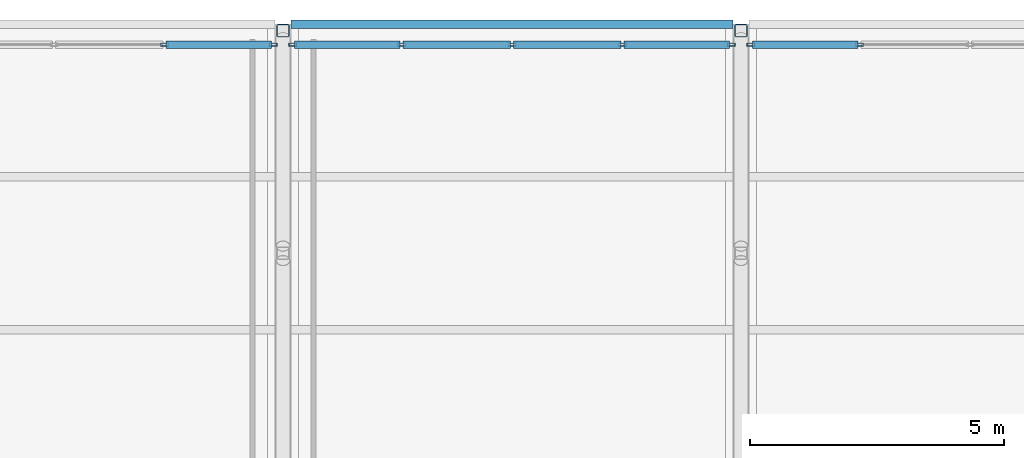
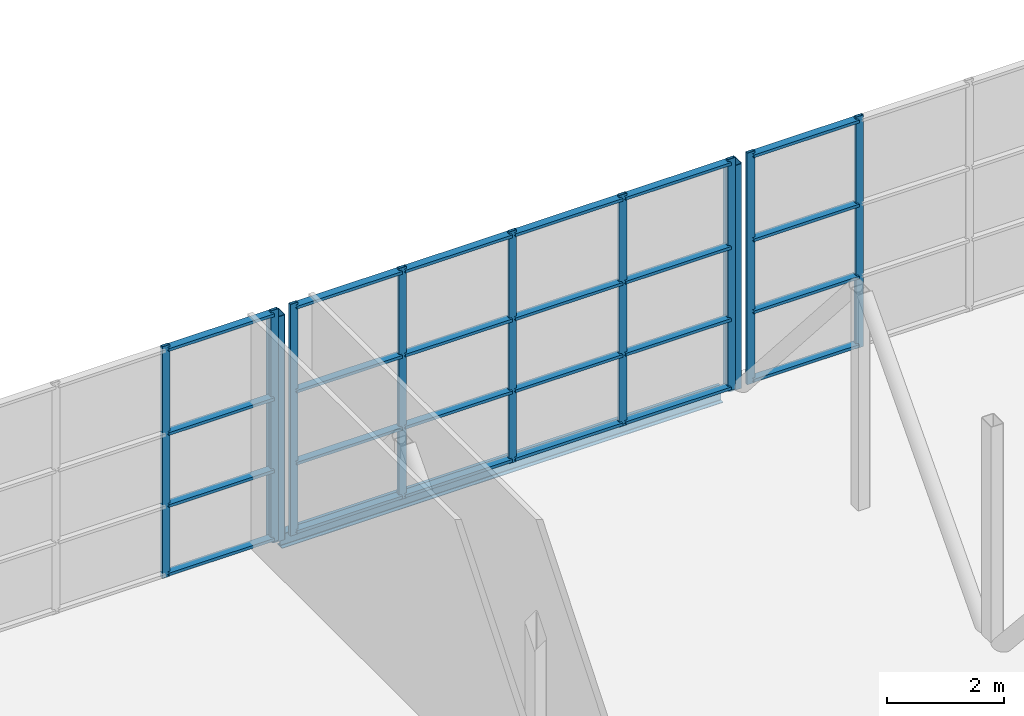
# One storey, part 68 of 94: 35 members, 1 beam, 3 elements without a shape of their own.
"""IFC4 building model written with IfcOpenShell, lengths in metres."""

import ifcopenshell
import ifcopenshell.guid

model = None  # the IFC model being written
_history = None  # IfcOwnerHistory: only IFC2X3 demands one
_inside = {}  # id of a spatial element -> (the spatial element, [elements in it])
_under = {}  # id of a project, library or spatial element -> (it, [spatial elements below it])
_declared = {}  # id of a project -> (the project, [libraries it declares])
_typed = {}  # id of a type object -> (the type object, [elements of that type])
_made_of = {}  # id of a material, layer set ... -> (it, [elements and type objects made of it])


def new_model(schema):
    """Start an empty IFC model of exactly this schema.

    Asked for "IFC4X3", IfcOpenShell would pick the latest addendum, in which some entities
    have other attributes; the version numbers below select the first issue.
    IFC2X3 requires an IfcOwnerHistory on every rooted entity: one is made here for all.
    """
    global model, _history
    if schema == "IFC4X3":
        model = ifcopenshell.file(schema_version=(4, 3, 0, 0))
    else:
        model = ifcopenshell.file(schema=schema)
    _inside.clear()
    _under.clear()
    _declared.clear()
    _typed.clear()
    _made_of.clear()
    _history = None
    if model.schema == "IFC2X3":
        org = make("IfcOrganization", Name="unknown")
        user = make(
            "IfcPersonAndOrganization",
            ThePerson=make("IfcPerson", FamilyName="unknown"),
            TheOrganization=org,
        )
        app = make(
            "IfcApplication",
            ApplicationDeveloper=org,
            Version="unknown",
            ApplicationFullName="unknown",
            ApplicationIdentifier="unknown",
        )
        _history = make(
            "IfcOwnerHistory",
            OwningUser=user,
            OwningApplication=app,
            ChangeAction="ADDED",
            CreationDate=0,
        )
    return model


def make(cls, **values):
    """One entity of the class cls with the attributes given. An attribute that is None is left unset."""
    return model.create_entity(
        cls, **{name: value for name, value in values.items() if value is not None}
    )


def rooted(cls, **values):
    """An entity with a GlobalId (a new one), such as an element, a storey or a relation."""
    return make(cls, GlobalId=ifcopenshell.guid.new(), OwnerHistory=_history, **values)


def si_unit(unit_type, name, prefix=None):
    """IfcSIUnit, for example si_unit("LENGTHUNIT", "METRE", prefix="MILLI")."""
    return make("IfcSIUnit", UnitType=unit_type, Prefix=prefix, Name=name)


def assignment(units):
    """IfcUnitAssignment: the units of a project."""
    return None if units is None else make("IfcUnitAssignment", Units=units)


def point(xyz):
    """IfcCartesianPoint."""
    return None if xyz is None else make("IfcCartesianPoint", Coordinates=xyz)


def direction(xyz):
    """IfcDirection."""
    return None if xyz is None else make("IfcDirection", DirectionRatios=xyz)


def frame(location, z_axis=None, x_axis=None):
    """IfcAxis2Placement3D, a coordinate frame: its origin and axes. An axis left out is left unset."""
    return make(
        "IfcAxis2Placement3D",
        Location=point(location),
        Axis=direction(z_axis),
        RefDirection=direction(x_axis),
    )


def frame_2d(location, x_axis=None):
    """IfcAxis2Placement2D, a coordinate frame in the plane: its origin and x axis."""
    return make(
        "IfcAxis2Placement2D", Location=point(location), RefDirection=direction(x_axis)
    )


def origin():
    """The frame at (0, 0, 0) with its axes left unset."""
    return frame((0.0, 0.0, 0.0))


def origin_2d():
    """The frame at (0, 0) in the plane with its x axis left unset."""
    return frame_2d((0.0, 0.0))


def place(relative_to, where):
    """IfcLocalPlacement: puts the frame where relative to a parent placement (None: the world)."""
    return make(
        "IfcLocalPlacement", PlacementRelTo=relative_to, RelativePlacement=where
    )


def context(
    kind, dimensions, precision=None, world=None, true_north=None, identifier=None
):
    """IfcGeometricRepresentationContext, for example the 3D "Model" context."""
    return make(
        "IfcGeometricRepresentationContext",
        ContextIdentifier=identifier,
        ContextType=kind,
        CoordinateSpaceDimension=dimensions,
        Precision=precision,
        WorldCoordinateSystem=world,
        TrueNorth=true_north,
    )


def subcontext(parent, identifier, kind, view, scale=None):
    """IfcGeometricRepresentationSubContext, for example "Body" below "Model"."""
    return make(
        "IfcGeometricRepresentationSubContext",
        ContextIdentifier=identifier,
        ContextType=kind,
        ParentContext=parent,
        TargetScale=scale,
        TargetView=view,
    )


def project(units=None, contexts=None):
    """IfcProject with its units and contexts."""
    return rooted(
        "IfcProject",
        Name="project",
        RepresentationContexts=contexts,
        UnitsInContext=assignment(units),
    )


def spatial(cls, under=None, at=None, **own):
    """A site, building, storey or space (cls), placed at a placement, below another one or the project."""
    s = rooted(cls, ObjectPlacement=at, **own)
    if under is not None:
        _under.setdefault(under.id(), (under, []))[1].append(s)
    return s


def profile(cls, at=None, kind="AREA", **sizes):
    """A parametric profile (cls). Its sizes go by their IFC names, for example OverallWidth=200.0."""
    return make(cls, ProfileType=kind, Position=at, **sizes)


def hollow_rectangle(**sizes):
    """IfcRectangleHollowProfileDef."""
    return profile("IfcRectangleHollowProfileDef", **sizes)


def i_section(**sizes):
    """IfcIShapeProfileDef."""
    return profile("IfcIShapeProfileDef", **sizes)


def extrude(swept, where, along, depth):
    """IfcExtrudedAreaSolid: the profile swept, set in the frame where, extruded along a direction by depth."""
    return make(
        "IfcExtrudedAreaSolid",
        SweptArea=swept,
        Position=where,
        ExtrudedDirection=direction(along),
        Depth=depth,
    )


def shape(context_of_items, identifier, shape_type, items):
    """IfcShapeRepresentation: the items that make up one representation, for example the "Body"."""
    return make(
        "IfcShapeRepresentation",
        ContextOfItems=context_of_items,
        RepresentationIdentifier=identifier,
        RepresentationType=shape_type,
        Items=items,
    )


def material(Name=None, Category=None):
    """IfcMaterial."""
    return make("IfcMaterial", Name=Name, Category=Category)


def layer(
    of_material, thickness, ventilated=None, Name=None, Category=None, Priority=None
):
    """IfcMaterialLayer: one layer of a wall or slab, of a material (None: an air gap)."""
    return make(
        "IfcMaterialLayer",
        Material=of_material,
        LayerThickness=thickness,
        IsVentilated=ventilated,
        Name=Name,
        Category=Category,
        Priority=Priority,
    )


def layer_set(layers, Name=None):
    """IfcMaterialLayerSet."""
    return make("IfcMaterialLayerSet", MaterialLayers=layers, LayerSetName=Name)


def material_profile(
    of_material, cross_section, Name=None, Category=None, Priority=None
):
    """IfcMaterialProfile: a cross section and its material."""
    return make(
        "IfcMaterialProfile",
        Name=Name,
        Material=of_material,
        Profile=cross_section,
        Priority=Priority,
        Category=Category,
    )


def profile_set(profiles, Name=None, composite=None):
    """IfcMaterialProfileSet."""
    return make(
        "IfcMaterialProfileSet",
        Name=Name,
        MaterialProfiles=profiles,
        CompositeProfile=composite,
    )


def made_of(thing, what):
    """Note that an element or type object is made of a material, layer set ...; save() writes the relation."""
    if what is not None:
        _made_of.setdefault(what.id(), (what, []))[1].append(thing)
    return thing


def type_object(cls, material=None, **own):
    """A type object (cls), such as IfcWallType, which elements share."""
    return made_of(rooted(cls, **own), material)


def element(
    cls,
    number,
    at=None,
    inside=None,
    cuts=None,
    type_object=None,
    material=None,
    context=None,
    identifier="Body",
    shape_type=None,
    held_by="IfcProductDefinitionShape",
    body=None,
    shapes=None,
    **own,
):
    """One element of the class cls, such as IfcWall. Its Tag is "e" and its number.

    at: its placement. inside: the storey or other place that contains it. cuts: it is an
    opening in that element (IfcRelVoidsElement). A single representation is given by context,
    identifier, shape_type and body (its items); several are given by shapes. held_by: the class
    of the entity that holds the representations. save() writes the other relations.
    """
    e = rooted(cls, Tag="e%d" % number, ObjectPlacement=at, **own)
    if body is not None:
        shapes = [shape(context, identifier, shape_type, body)]
    if shapes is not None:
        e.Representation = make(held_by, Representations=shapes)
    if inside is not None:
        _inside.setdefault(inside.id(), (inside, []))[1].append(e)
    if cuts is not None:
        rooted(
            "IfcRelVoidsElement", RelatingBuildingElement=cuts, RelatedOpeningElement=e
        )
    if type_object is not None:
        _typed.setdefault(type_object.id(), (type_object, []))[1].append(e)
    return made_of(e, material)


def aggregate(whole, parts):
    """IfcRelAggregates: a whole, such as a stair, and the parts it consists of."""
    return rooted("IfcRelAggregates", RelatingObject=whole, RelatedObjects=parts)


def save(model, path):
    """Write the relations noted so far, then the file.

    IfcRelAggregates (storeys below a building ...), IfcRelContainedInSpatialStructure (elements
    in a storey), IfcRelDefinesByType, IfcRelAssociatesMaterial and IfcRelDeclares: one each for
    every whole, place, type object, material and project.
    """
    for whole, parts in _under.values():
        aggregate(whole, parts)
    for where, things in _inside.values():
        rooted(
            "IfcRelContainedInSpatialStructure",
            RelatedElements=things,
            RelatingStructure=where,
        )
    for kind, things in _typed.values():
        rooted("IfcRelDefinesByType", RelatedObjects=things, RelatingType=kind)
    for what, things in _made_of.values():
        rooted("IfcRelAssociatesMaterial", RelatedObjects=things, RelatingMaterial=what)
    for by, libraries in _declared.values():
        rooted("IfcRelDeclares", RelatingContext=by, RelatedDefinitions=libraries)
    model.write(path)


model = new_model("IFC4")

# Units and contexts
model_context = context("Model", 3, precision=1e-05, world=origin(), true_north=direction((0.0, 1.0)))
body_context = subcontext(model_context, "Body", "Model", "MODEL_VIEW")
ifc_project = project(units=[si_unit("LENGTHUNIT", "METRE"), si_unit("AREAUNIT", "SQUARE_METRE"), si_unit("VOLUMEUNIT", "CUBIC_METRE"), si_unit("PLANEANGLEUNIT", "RADIAN"), si_unit("MASSUNIT", "GRAM", prefix="KILO")], contexts=[model_context])

# Site, building, storey
site_placement = place(None, origin())
site = spatial("IfcSite", under=ifc_project, at=site_placement, CompositionType="ELEMENT")
building_placement = place(site_placement, origin())
building = spatial("IfcBuilding", under=site, at=building_placement, Name="Shorebreak Coast Museum", CompositionType="ELEMENT")
storey_placement = place(building_placement, frame((0.0, 0.0, 31.0)))
storey = spatial("IfcBuildingStorey", under=building, at=storey_placement, Name="L05", CompositionType="ELEMENT", Elevation=31.0)

# Curtain wall, members
ifc_material_1 = material(Name="Aluminium", Category="aluminium")
ifc_layer = layer(ifc_material_1, 0.14990234375)
ifc_layer_set = layer_set([ifc_layer], Name="Aluminium")
curtain_wall_type = type_object("IfcCurtainWallType", Name="Barrel end glazing", PredefinedType="NOTDEFINED", material=ifc_layer_set)
curtain_wall_1_placement = place(storey_placement, origin())
curtain_wall_1 = element("IfcCurtainWall", 1, at=curtain_wall_1_placement, inside=storey, type_object=curtain_wall_type, Name="Barrel end glazing L05 4", PredefinedType="NOTDEFINED")
ifc_material_2 = material(Name="Aluminium", Category="aluminium")
ifc_material_profile_1 = material_profile(ifc_material_2, hollow_rectangle(XDim=0.06005859375, YDim=0.14990234375, WallThickness=0.00390625, at=origin_2d()), Name="AL 150x60 RHS")
ifc_profile_set_1 = profile_set([ifc_material_profile_1], Name="Aluminium")
member_type_1 = type_object("IfcMemberType", Name="Barrel mullion 60 x 150", PredefinedType="MULLION", material=ifc_profile_set_1)
member_1_placement = place(storey_placement, frame((87.6689453125, 134.60009765625, 0.0), z_axis=(0.0, 0.0, 1.0), x_axis=(0.0, 1.0, 0.0)))
member_1 = element("IfcMember", 2, at=member_1_placement, type_object=member_type_1, Name="CW7 mullion 4", PredefinedType="MULLION", context=body_context, shape_type="SweptSolid", body=[
    extrude(hollow_rectangle(XDim=0.06005859375, YDim=0.14990234375, WallThickness=0.00390625, at=origin_2d()), origin(), (0.0, 0.0, 1.0), 4.824951171875),
])
member_2_placement = place(storey_placement, frame((89.80810546875, 134.60009765625, 0.0), z_axis=(0.0, 0.0, 1.0), x_axis=(0.0, 1.0, 0.0)))
member_2 = element("IfcMember", 3, at=member_2_placement, type_object=member_type_1, Name="CW7 mullion 5", PredefinedType="MULLION", context=body_context, shape_type="SweptSolid", body=[
    extrude(hollow_rectangle(XDim=0.06005859375, YDim=0.14990234375, WallThickness=0.00390625, at=origin_2d()), origin(), (0.0, 0.0, 1.0), 4.824951171875),
])

curtain_wall_2_placement = place(storey_placement, origin())
curtain_wall_2 = element("IfcCurtainWall", 4, at=curtain_wall_2_placement, inside=storey, type_object=curtain_wall_type, Name="Barrel end glazing L05 5", PredefinedType="NOTDEFINED")
member_3_placement = place(storey_placement, frame((90.19189453125, 134.60009765625, 0.0), z_axis=(0.0, 0.0, 1.0), x_axis=(0.0, 1.0, 0.0)))
member_3 = element("IfcMember", 5, at=member_3_placement, type_object=member_type_1, Name="CW7 mullion 1", PredefinedType="MULLION", context=body_context, shape_type="SweptSolid", body=[
    extrude(hollow_rectangle(XDim=0.06005859375, YDim=0.14990234375, WallThickness=0.00390625, at=origin_2d()), origin(), (0.0, 0.0, 1.0), 4.824951171875),
])
member_4_placement = place(storey_placement, frame((92.3310546875, 134.60009765625, 0.0), z_axis=(0.0, 0.0, 1.0), x_axis=(0.0, 1.0, 0.0)))
member_4 = element("IfcMember", 6, at=member_4_placement, type_object=member_type_1, Name="CW7 mullion 2", PredefinedType="MULLION", context=body_context, shape_type="SweptSolid", body=[
    extrude(hollow_rectangle(XDim=0.06005859375, YDim=0.14990234375, WallThickness=0.00390625, at=origin_2d()), origin(), (0.0, 0.0, 1.0), 4.824951171875),
])
member_5_placement = place(storey_placement, frame((94.5, 134.60009765625, 0.0), z_axis=(0.0, 0.0, 1.0), x_axis=(0.0, 1.0, 0.0)))
member_5 = element("IfcMember", 7, at=member_5_placement, type_object=member_type_1, Name="CW7 mullion 3", PredefinedType="MULLION", context=body_context, shape_type="SweptSolid", body=[
    extrude(hollow_rectangle(XDim=0.06005859375, YDim=0.14990234375, WallThickness=0.00390625, at=origin_2d()), origin(), (0.0, 0.0, 1.0), 4.824951171875),
])
member_6_placement = place(storey_placement, frame((96.6689453125, 134.60009765625, 0.0), z_axis=(0.0, 0.0, 1.0), x_axis=(0.0, 1.0, 0.0)))
member_6 = element("IfcMember", 8, at=member_6_placement, type_object=member_type_1, Name="CW7 mullion 4", PredefinedType="MULLION", context=body_context, shape_type="SweptSolid", body=[
    extrude(hollow_rectangle(XDim=0.06005859375, YDim=0.14990234375, WallThickness=0.00390625, at=origin_2d()), origin(), (0.0, 0.0, 1.0), 4.824951171875),
])
member_7_placement = place(storey_placement, frame((98.80810546875, 134.60009765625, 0.0), z_axis=(0.0, 0.0, 1.0), x_axis=(0.0, 1.0, 0.0)))
member_7 = element("IfcMember", 9, at=member_7_placement, type_object=member_type_1, Name="CW7 mullion 5", PredefinedType="MULLION", context=body_context, shape_type="SweptSolid", body=[
    extrude(hollow_rectangle(XDim=0.06005859375, YDim=0.14990234375, WallThickness=0.00390625, at=origin_2d()), origin(), (0.0, 0.0, 1.0), 4.824951171875),
])

curtain_wall_3_placement = place(storey_placement, origin())
curtain_wall_3 = element("IfcCurtainWall", 10, at=curtain_wall_3_placement, inside=storey, type_object=curtain_wall_type, Name="Barrel end glazing L05 6", PredefinedType="NOTDEFINED")
member_8_placement = place(storey_placement, frame((99.19189453125, 134.60009765625, 0.0), z_axis=(0.0, 0.0, 1.0), x_axis=(0.0, 1.0, 0.0)))
member_8 = element("IfcMember", 11, at=member_8_placement, type_object=member_type_1, Name="CW7 mullion 1", PredefinedType="MULLION", context=body_context, shape_type="SweptSolid", body=[
    extrude(hollow_rectangle(XDim=0.06005859375, YDim=0.14990234375, WallThickness=0.00390625, at=origin_2d()), origin(), (0.0, 0.0, 1.0), 4.824951171875),
])
member_9_placement = place(storey_placement, frame((101.3310546875, 134.60009765625, 0.0), z_axis=(0.0, 0.0, 1.0), x_axis=(0.0, 1.0, 0.0)))
member_9 = element("IfcMember", 12, at=member_9_placement, type_object=member_type_1, Name="CW7 mullion 2", PredefinedType="MULLION", context=body_context, shape_type="SweptSolid", body=[
    extrude(hollow_rectangle(XDim=0.06005859375, YDim=0.14990234375, WallThickness=0.00390625, at=origin_2d()), origin(), (0.0, 0.0, 1.0), 4.824951171875),
])

# Member
ifc_material_3 = material(Name="Aluminium", Category="aluminium")
ifc_material_profile_2 = material_profile(ifc_material_3, hollow_rectangle(XDim=0.14990234375, YDim=0.06005859375, WallThickness=0.00390625, at=origin_2d()), Name="AL 60x150 RHS")
ifc_profile_set_2 = profile_set([ifc_material_profile_2], Name="Aluminium")
member_type_2 = type_object("IfcMemberType", Name="Barrel transom 150 x 60", PredefinedType="USERDEFINED", material=ifc_profile_set_2)
member_10_placement = place(storey_placement, frame((87.698974609375, 134.60009765625, 0.074951171875), z_axis=(1.0, 0.0, 0.0), x_axis=(0.0, 1.0, 0.0)))
member_10 = element("IfcMember", 13, at=member_10_placement, type_object=member_type_2, Name="CW7 transom 4.1", ObjectType="TRANSOM", PredefinedType="USERDEFINED", context=body_context, shape_type="SweptSolid", body=[
    extrude(hollow_rectangle(XDim=0.14990234375, YDim=0.06005859375, WallThickness=0.00390625, at=origin_2d()), origin(), (0.0, 0.0, 1.0), 2.0791015625),
])

member_11_placement = place(storey_placement, frame((87.698974609375, 134.60009765625, 1.5), z_axis=(1.0, 0.0, 0.0), x_axis=(0.0, 1.0, 0.0)))
member_11 = element("IfcMember", 14, at=member_11_placement, type_object=member_type_2, Name="CW7 transom 4.2", ObjectType="TRANSOM", PredefinedType="USERDEFINED", context=body_context, shape_type="SweptSolid", body=[
    extrude(hollow_rectangle(XDim=0.14990234375, YDim=0.06005859375, WallThickness=0.00390625, at=origin_2d()), origin(), (0.0, 0.0, 1.0), 2.0791015625),
])

member_12_placement = place(storey_placement, frame((87.698974609375, 134.60009765625, 3.0), z_axis=(1.0, 0.0, 0.0), x_axis=(0.0, 1.0, 0.0)))
member_12 = element("IfcMember", 15, at=member_12_placement, type_object=member_type_2, Name="CW7 transom 4.3", ObjectType="TRANSOM", PredefinedType="USERDEFINED", context=body_context, shape_type="SweptSolid", body=[
    extrude(hollow_rectangle(XDim=0.14990234375, YDim=0.06005859375, WallThickness=0.00390625, at=origin_2d()), origin(), (0.0, 0.0, 1.0), 2.0791015625),
])

member_13_placement = place(storey_placement, frame((87.698974609375, 134.60009765625, 4.75), z_axis=(1.0, 0.0, 0.0), x_axis=(0.0, 1.0, 0.0)))
member_13 = element("IfcMember", 16, at=member_13_placement, type_object=member_type_2, Name="CW7 transom 4.4", ObjectType="TRANSOM", PredefinedType="USERDEFINED", context=body_context, shape_type="SweptSolid", body=[
    extrude(hollow_rectangle(XDim=0.14990234375, YDim=0.06005859375, WallThickness=0.00390625, at=origin_2d()), origin(), (0.0, 0.0, 1.0), 2.0791015625),
])

aggregate(curtain_wall_1, [member_1, member_2, member_10, member_11, member_12, member_13])

member_14_placement = place(storey_placement, frame((90.221923828125, 134.60009765625, 0.074951171875), z_axis=(1.0, 0.0, 0.0), x_axis=(0.0, 1.0, 0.0)))
member_14 = element("IfcMember", 17, at=member_14_placement, type_object=member_type_2, Name="CW7 transom 1.1", ObjectType="TRANSOM", PredefinedType="USERDEFINED", context=body_context, shape_type="SweptSolid", body=[
    extrude(hollow_rectangle(XDim=0.14990234375, YDim=0.06005859375, WallThickness=0.00390625, at=origin_2d()), origin(), (0.0, 0.0, 1.0), 2.0791015625),
])

member_15_placement = place(storey_placement, frame((90.221923828125, 134.60009765625, 1.5), z_axis=(1.0, 0.0, 0.0), x_axis=(0.0, 1.0, 0.0)))
member_15 = element("IfcMember", 18, at=member_15_placement, type_object=member_type_2, Name="CW7 transom 1.2", ObjectType="TRANSOM", PredefinedType="USERDEFINED", context=body_context, shape_type="SweptSolid", body=[
    extrude(hollow_rectangle(XDim=0.14990234375, YDim=0.06005859375, WallThickness=0.00390625, at=origin_2d()), origin(), (0.0, 0.0, 1.0), 2.0791015625),
])

member_16_placement = place(storey_placement, frame((90.221923828125, 134.60009765625, 3.0), z_axis=(1.0, 0.0, 0.0), x_axis=(0.0, 1.0, 0.0)))
member_16 = element("IfcMember", 19, at=member_16_placement, type_object=member_type_2, Name="CW7 transom 1.3", ObjectType="TRANSOM", PredefinedType="USERDEFINED", context=body_context, shape_type="SweptSolid", body=[
    extrude(hollow_rectangle(XDim=0.14990234375, YDim=0.06005859375, WallThickness=0.00390625, at=origin_2d()), origin(), (0.0, 0.0, 1.0), 2.0791015625),
])

member_17_placement = place(storey_placement, frame((90.221923828125, 134.60009765625, 4.75), z_axis=(1.0, 0.0, 0.0), x_axis=(0.0, 1.0, 0.0)))
member_17 = element("IfcMember", 20, at=member_17_placement, type_object=member_type_2, Name="CW7 transom 1.4", ObjectType="TRANSOM", PredefinedType="USERDEFINED", context=body_context, shape_type="SweptSolid", body=[
    extrude(hollow_rectangle(XDim=0.14990234375, YDim=0.06005859375, WallThickness=0.00390625, at=origin_2d()), origin(), (0.0, 0.0, 1.0), 2.0791015625),
])

member_18_placement = place(storey_placement, frame((92.361083984375, 134.60009765625, 0.074951171875), z_axis=(1.0, 0.0, 0.0), x_axis=(0.0, 1.0, 0.0)))
member_18 = element("IfcMember", 21, at=member_18_placement, type_object=member_type_2, Name="CW7 transom 2.1", ObjectType="TRANSOM", PredefinedType="USERDEFINED", context=body_context, shape_type="SweptSolid", body=[
    extrude(hollow_rectangle(XDim=0.14990234375, YDim=0.06005859375, WallThickness=0.00390625, at=origin_2d()), origin(), (0.0, 0.0, 1.0), 2.10888671875),
])

member_19_placement = place(storey_placement, frame((92.361083984375, 134.60009765625, 1.5), z_axis=(1.0, 0.0, 0.0), x_axis=(0.0, 1.0, 0.0)))
member_19 = element("IfcMember", 22, at=member_19_placement, type_object=member_type_2, Name="CW7 transom 2.2", ObjectType="TRANSOM", PredefinedType="USERDEFINED", context=body_context, shape_type="SweptSolid", body=[
    extrude(hollow_rectangle(XDim=0.14990234375, YDim=0.06005859375, WallThickness=0.00390625, at=origin_2d()), origin(), (0.0, 0.0, 1.0), 2.10888671875),
])

member_20_placement = place(storey_placement, frame((92.361083984375, 134.60009765625, 3.0), z_axis=(1.0, 0.0, 0.0), x_axis=(0.0, 1.0, 0.0)))
member_20 = element("IfcMember", 23, at=member_20_placement, type_object=member_type_2, Name="CW7 transom 2.3", ObjectType="TRANSOM", PredefinedType="USERDEFINED", context=body_context, shape_type="SweptSolid", body=[
    extrude(hollow_rectangle(XDim=0.14990234375, YDim=0.06005859375, WallThickness=0.00390625, at=origin_2d()), origin(), (0.0, 0.0, 1.0), 2.10888671875),
])

member_21_placement = place(storey_placement, frame((92.361083984375, 134.60009765625, 4.75), z_axis=(1.0, 0.0, 0.0), x_axis=(0.0, 1.0, 0.0)))
member_21 = element("IfcMember", 24, at=member_21_placement, type_object=member_type_2, Name="CW7 transom 2.4", ObjectType="TRANSOM", PredefinedType="USERDEFINED", context=body_context, shape_type="SweptSolid", body=[
    extrude(hollow_rectangle(XDim=0.14990234375, YDim=0.06005859375, WallThickness=0.00390625, at=origin_2d()), origin(), (0.0, 0.0, 1.0), 2.10888671875),
])

member_22_placement = place(storey_placement, frame((94.530029296875, 134.60009765625, 0.074951171875), z_axis=(1.0, 0.0, 0.0), x_axis=(0.0, 1.0, 0.0)))
member_22 = element("IfcMember", 25, at=member_22_placement, type_object=member_type_2, Name="CW7 transom 3.1", ObjectType="TRANSOM", PredefinedType="USERDEFINED", context=body_context, shape_type="SweptSolid", body=[
    extrude(hollow_rectangle(XDim=0.14990234375, YDim=0.06005859375, WallThickness=0.00390625, at=origin_2d()), origin(), (0.0, 0.0, 1.0), 2.10888671875),
])

member_23_placement = place(storey_placement, frame((94.530029296875, 134.60009765625, 1.5), z_axis=(1.0, 0.0, 0.0), x_axis=(0.0, 1.0, 0.0)))
member_23 = element("IfcMember", 26, at=member_23_placement, type_object=member_type_2, Name="CW7 transom 3.2", ObjectType="TRANSOM", PredefinedType="USERDEFINED", context=body_context, shape_type="SweptSolid", body=[
    extrude(hollow_rectangle(XDim=0.14990234375, YDim=0.06005859375, WallThickness=0.00390625, at=origin_2d()), origin(), (0.0, 0.0, 1.0), 2.10888671875),
])

member_24_placement = place(storey_placement, frame((94.530029296875, 134.60009765625, 3.0), z_axis=(1.0, 0.0, 0.0), x_axis=(0.0, 1.0, 0.0)))
member_24 = element("IfcMember", 27, at=member_24_placement, type_object=member_type_2, Name="CW7 transom 3.3", ObjectType="TRANSOM", PredefinedType="USERDEFINED", context=body_context, shape_type="SweptSolid", body=[
    extrude(hollow_rectangle(XDim=0.14990234375, YDim=0.06005859375, WallThickness=0.00390625, at=origin_2d()), origin(), (0.0, 0.0, 1.0), 2.10888671875),
])

member_25_placement = place(storey_placement, frame((94.530029296875, 134.60009765625, 4.75), z_axis=(1.0, 0.0, 0.0), x_axis=(0.0, 1.0, 0.0)))
member_25 = element("IfcMember", 28, at=member_25_placement, type_object=member_type_2, Name="CW7 transom 3.4", ObjectType="TRANSOM", PredefinedType="USERDEFINED", context=body_context, shape_type="SweptSolid", body=[
    extrude(hollow_rectangle(XDim=0.14990234375, YDim=0.06005859375, WallThickness=0.00390625, at=origin_2d()), origin(), (0.0, 0.0, 1.0), 2.10888671875),
])

member_26_placement = place(storey_placement, frame((96.698974609375, 134.60009765625, 0.074951171875), z_axis=(1.0, 0.0, 0.0), x_axis=(0.0, 1.0, 0.0)))
member_26 = element("IfcMember", 29, at=member_26_placement, type_object=member_type_2, Name="CW7 transom 4.1", ObjectType="TRANSOM", PredefinedType="USERDEFINED", context=body_context, shape_type="SweptSolid", body=[
    extrude(hollow_rectangle(XDim=0.14990234375, YDim=0.06005859375, WallThickness=0.00390625, at=origin_2d()), origin(), (0.0, 0.0, 1.0), 2.0791015625),
])

member_27_placement = place(storey_placement, frame((96.698974609375, 134.60009765625, 1.5), z_axis=(1.0, 0.0, 0.0), x_axis=(0.0, 1.0, 0.0)))
member_27 = element("IfcMember", 30, at=member_27_placement, type_object=member_type_2, Name="CW7 transom 4.2", ObjectType="TRANSOM", PredefinedType="USERDEFINED", context=body_context, shape_type="SweptSolid", body=[
    extrude(hollow_rectangle(XDim=0.14990234375, YDim=0.06005859375, WallThickness=0.00390625, at=origin_2d()), origin(), (0.0, 0.0, 1.0), 2.0791015625),
])

member_28_placement = place(storey_placement, frame((96.698974609375, 134.60009765625, 3.0), z_axis=(1.0, 0.0, 0.0), x_axis=(0.0, 1.0, 0.0)))
member_28 = element("IfcMember", 31, at=member_28_placement, type_object=member_type_2, Name="CW7 transom 4.3", ObjectType="TRANSOM", PredefinedType="USERDEFINED", context=body_context, shape_type="SweptSolid", body=[
    extrude(hollow_rectangle(XDim=0.14990234375, YDim=0.06005859375, WallThickness=0.00390625, at=origin_2d()), origin(), (0.0, 0.0, 1.0), 2.0791015625),
])

member_29_placement = place(storey_placement, frame((96.698974609375, 134.60009765625, 4.75), z_axis=(1.0, 0.0, 0.0), x_axis=(0.0, 1.0, 0.0)))
member_29 = element("IfcMember", 32, at=member_29_placement, type_object=member_type_2, Name="CW7 transom 4.4", ObjectType="TRANSOM", PredefinedType="USERDEFINED", context=body_context, shape_type="SweptSolid", body=[
    extrude(hollow_rectangle(XDim=0.14990234375, YDim=0.06005859375, WallThickness=0.00390625, at=origin_2d()), origin(), (0.0, 0.0, 1.0), 2.0791015625),
])

aggregate(curtain_wall_2, [member_3, member_4, member_5, member_6, member_7, member_14, member_15, member_16, member_17, member_18, member_19, member_20, member_21, member_22, member_23, member_24, member_25, member_26, member_27, member_28, member_29])

member_30_placement = place(storey_placement, frame((99.221923828125, 134.60009765625, 0.074951171875), z_axis=(1.0, 0.0, 0.0), x_axis=(0.0, 1.0, 0.0)))
member_30 = element("IfcMember", 33, at=member_30_placement, type_object=member_type_2, Name="CW7 transom 1.1", ObjectType="TRANSOM", PredefinedType="USERDEFINED", context=body_context, shape_type="SweptSolid", body=[
    extrude(hollow_rectangle(XDim=0.14990234375, YDim=0.06005859375, WallThickness=0.00390625, at=origin_2d()), origin(), (0.0, 0.0, 1.0), 2.0791015625),
])

member_31_placement = place(storey_placement, frame((99.221923828125, 134.60009765625, 1.5), z_axis=(1.0, 0.0, 0.0), x_axis=(0.0, 1.0, 0.0)))
member_31 = element("IfcMember", 34, at=member_31_placement, type_object=member_type_2, Name="CW7 transom 1.2", ObjectType="TRANSOM", PredefinedType="USERDEFINED", context=body_context, shape_type="SweptSolid", body=[
    extrude(hollow_rectangle(XDim=0.14990234375, YDim=0.06005859375, WallThickness=0.00390625, at=origin_2d()), origin(), (0.0, 0.0, 1.0), 2.0791015625),
])

member_32_placement = place(storey_placement, frame((99.221923828125, 134.60009765625, 3.0), z_axis=(1.0, 0.0, 0.0), x_axis=(0.0, 1.0, 0.0)))
member_32 = element("IfcMember", 35, at=member_32_placement, type_object=member_type_2, Name="CW7 transom 1.3", ObjectType="TRANSOM", PredefinedType="USERDEFINED", context=body_context, shape_type="SweptSolid", body=[
    extrude(hollow_rectangle(XDim=0.14990234375, YDim=0.06005859375, WallThickness=0.00390625, at=origin_2d()), origin(), (0.0, 0.0, 1.0), 2.0791015625),
])

member_33_placement = place(storey_placement, frame((99.221923828125, 134.60009765625, 4.75), z_axis=(1.0, 0.0, 0.0), x_axis=(0.0, 1.0, 0.0)))
member_33 = element("IfcMember", 36, at=member_33_placement, type_object=member_type_2, Name="CW7 transom 1.4", ObjectType="TRANSOM", PredefinedType="USERDEFINED", context=body_context, shape_type="SweptSolid", body=[
    extrude(hollow_rectangle(XDim=0.14990234375, YDim=0.06005859375, WallThickness=0.00390625, at=origin_2d()), origin(), (0.0, 0.0, 1.0), 2.0791015625),
])

aggregate(curtain_wall_3, [member_8, member_9, member_30, member_31, member_32, member_33])

# Beam
ifc_material_4 = material(Name="Steel Grade 300", Category="steel")
ifc_material_profile_3 = material_profile(ifc_material_4, i_section(OverallWidth=0.166015625, OverallDepth=0.30712890625, WebThickness=0.006591796875, FlangeThickness=0.01171875, FilletRadius=0.011474609375, at=origin_2d()), Name="310UB46.2")
ifc_profile_set_3 = profile_set([ifc_material_profile_3], Name="Steel Grade 300")
beam_type = type_object("IfcBeamType", Name="Floor girder east-west 310UB46.2", PredefinedType="BEAM", material=ifc_profile_set_3)
beam_placement = place(storey_placement, frame((90.155517578125, 135.0, -0.32861328125), z_axis=(1.0, 0.0, 0.0), x_axis=(0.0, 1.0, 0.0)))
element("IfcBeam", 37, at=beam_placement, inside=storey, type_object=beam_type, Name="Floor girder east-west L05 11S", PredefinedType="BEAM", context=body_context, shape_type="SweptSolid", body=[
    extrude(i_section(OverallWidth=0.166015625, OverallDepth=0.30712890625, WebThickness=0.006591796875, FlangeThickness=0.01171875, FilletRadius=0.011474609375, at=origin_2d()), origin(), (0.0, 0.0, 1.0), 8.68896484375),
])

# Members
ifc_material_5 = material(Name="Steel Grade C450L0", Category="steel")
ifc_material_profile_4 = material_profile(ifc_material_5, hollow_rectangle(XDim=0.25, YDim=0.25, WallThickness=0.012451171875, InnerFilletRadius=0.018798828125, OuterFilletRadius=0.03125, at=origin_2d()), Name="250x250x12.5 SHS")
ifc_profile_set_4 = profile_set([ifc_material_profile_4], Name="Steel Grade C450L0")
member_type_3 = type_object("IfcMemberType", Name="Transfer truss strut 250x250x12.5 SHS", PredefinedType="STRUT", material=ifc_profile_set_4)
for number, where, z_axis, x_axis, name in (
    (38, (90.0, 134.875, -0.175048828125), (0.0, 0.0, 1.0), (1.0, 0.0, 0.0), "Transfer truss TR5 strut V07"),
    (39, (99.0, 134.875, -0.175048828125), (0.0, 0.0, 1.0), (1.0, 0.0, 0.0), "Transfer truss TR6 strut V07"),
):
    element("IfcMember", number, at=place(storey_placement, frame(where, z_axis=z_axis, x_axis=x_axis)), inside=storey, type_object=member_type_3, Name=name, PredefinedType="STRUT", context=body_context, shape_type="SweptSolid", body=[
        extrude(hollow_rectangle(XDim=0.25, YDim=0.25, WallThickness=0.012451171875, InnerFilletRadius=0.018798828125, OuterFilletRadius=0.03125, at=origin_2d()), origin(), (0.0, 0.0, 1.0), 4.679443359375),
    ])

save(model, "model.ifc")
